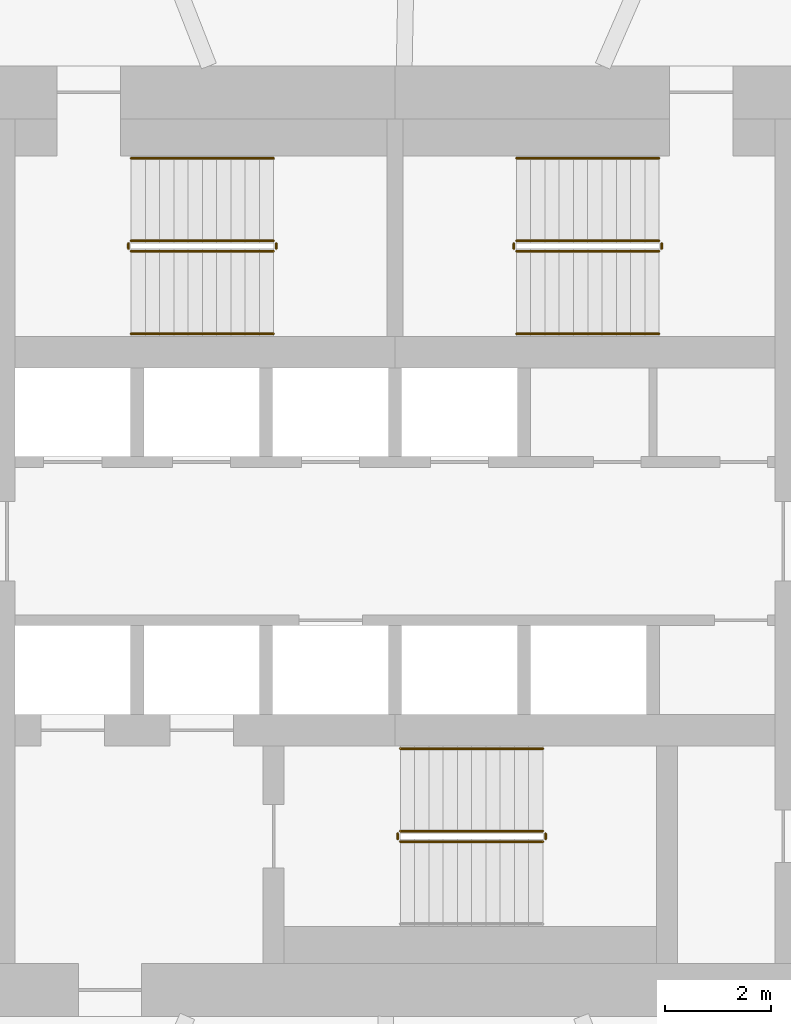
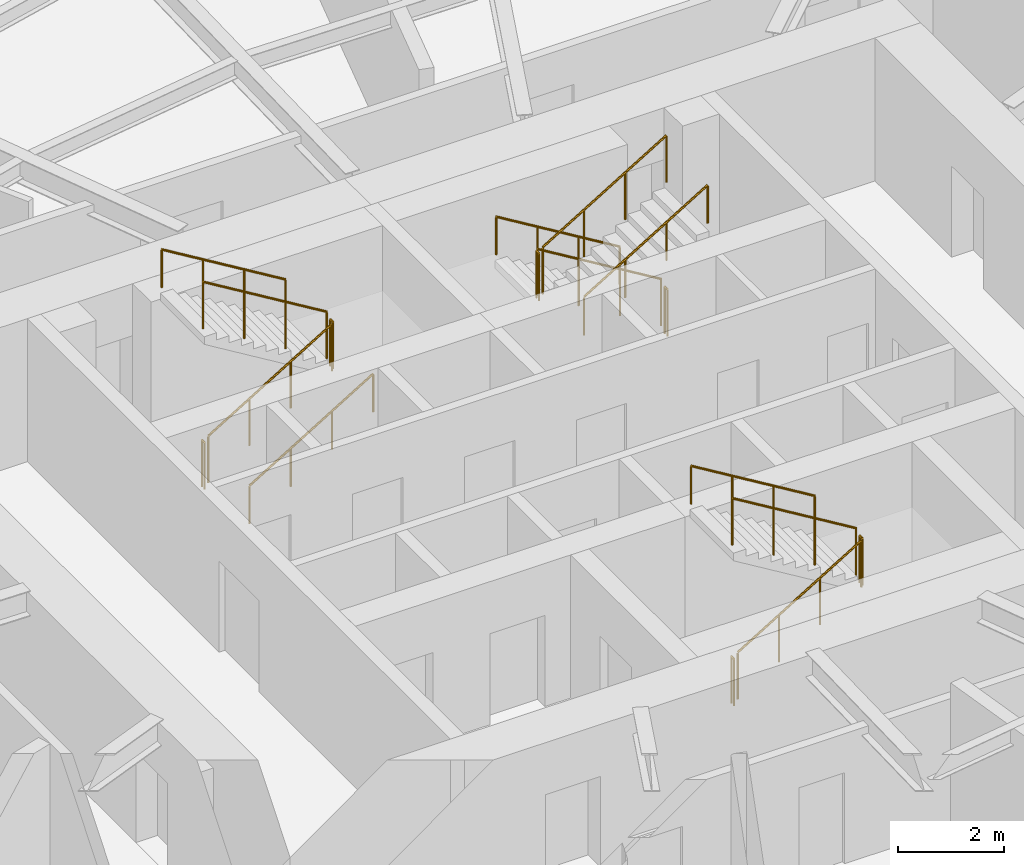
# One storey, part 13 of 15: 17 railings.
"""IFC4 building model written with IfcOpenShell, lengths in metres."""

import ifcopenshell
import ifcopenshell.guid

model = None  # the IFC model being written
_history = None  # IfcOwnerHistory: only IFC2X3 demands one
_inside = {}  # id of a spatial element -> (the spatial element, [elements in it])
_under = {}  # id of a project, library or spatial element -> (it, [spatial elements below it])
_declared = {}  # id of a project -> (the project, [libraries it declares])
_typed = {}  # id of a type object -> (the type object, [elements of that type])
_made_of = {}  # id of a material, layer set ... -> (it, [elements and type objects made of it])


def new_model(schema):
    """Start an empty IFC model of exactly this schema.

    Asked for "IFC4X3", IfcOpenShell would pick the latest addendum, in which some entities
    have other attributes; the version numbers below select the first issue.
    IFC2X3 requires an IfcOwnerHistory on every rooted entity: one is made here for all.
    """
    global model, _history
    if schema == "IFC4X3":
        model = ifcopenshell.file(schema_version=(4, 3, 0, 0))
    else:
        model = ifcopenshell.file(schema=schema)
    _inside.clear()
    _under.clear()
    _declared.clear()
    _typed.clear()
    _made_of.clear()
    _history = None
    if model.schema == "IFC2X3":
        org = make("IfcOrganization", Name="unknown")
        user = make(
            "IfcPersonAndOrganization",
            ThePerson=make("IfcPerson", FamilyName="unknown"),
            TheOrganization=org,
        )
        app = make(
            "IfcApplication",
            ApplicationDeveloper=org,
            Version="unknown",
            ApplicationFullName="unknown",
            ApplicationIdentifier="unknown",
        )
        _history = make(
            "IfcOwnerHistory",
            OwningUser=user,
            OwningApplication=app,
            ChangeAction="ADDED",
            CreationDate=0,
        )
    return model


def make(cls, **values):
    """One entity of the class cls with the attributes given. An attribute that is None is left unset."""
    return model.create_entity(
        cls, **{name: value for name, value in values.items() if value is not None}
    )


def rooted(cls, **values):
    """An entity with a GlobalId (a new one), such as an element, a storey or a relation."""
    return make(cls, GlobalId=ifcopenshell.guid.new(), OwnerHistory=_history, **values)


def si_unit(unit_type, name, prefix=None):
    """IfcSIUnit, for example si_unit("LENGTHUNIT", "METRE", prefix="MILLI")."""
    return make("IfcSIUnit", UnitType=unit_type, Prefix=prefix, Name=name)


def assignment(units):
    """IfcUnitAssignment: the units of a project."""
    return None if units is None else make("IfcUnitAssignment", Units=units)


def point(xyz):
    """IfcCartesianPoint."""
    return None if xyz is None else make("IfcCartesianPoint", Coordinates=xyz)


def direction(xyz):
    """IfcDirection."""
    return None if xyz is None else make("IfcDirection", DirectionRatios=xyz)


def frame(location, z_axis=None, x_axis=None):
    """IfcAxis2Placement3D, a coordinate frame: its origin and axes. An axis left out is left unset."""
    return make(
        "IfcAxis2Placement3D",
        Location=point(location),
        Axis=direction(z_axis),
        RefDirection=direction(x_axis),
    )


def frame_2d(location, x_axis=None):
    """IfcAxis2Placement2D, a coordinate frame in the plane: its origin and x axis."""
    return make(
        "IfcAxis2Placement2D", Location=point(location), RefDirection=direction(x_axis)
    )


def origin():
    """The frame at (0, 0, 0) with its axes left unset."""
    return frame((0.0, 0.0, 0.0))


def origin_2d():
    """The frame at (0, 0) in the plane with its x axis left unset."""
    return frame_2d((0.0, 0.0))


def place(relative_to, where):
    """IfcLocalPlacement: puts the frame where relative to a parent placement (None: the world)."""
    return make(
        "IfcLocalPlacement", PlacementRelTo=relative_to, RelativePlacement=where
    )


def context(
    kind, dimensions, precision=None, world=None, true_north=None, identifier=None
):
    """IfcGeometricRepresentationContext, for example the 3D "Model" context."""
    return make(
        "IfcGeometricRepresentationContext",
        ContextIdentifier=identifier,
        ContextType=kind,
        CoordinateSpaceDimension=dimensions,
        Precision=precision,
        WorldCoordinateSystem=world,
        TrueNorth=true_north,
    )


def subcontext(parent, identifier, kind, view, scale=None):
    """IfcGeometricRepresentationSubContext, for example "Body" below "Model"."""
    return make(
        "IfcGeometricRepresentationSubContext",
        ContextIdentifier=identifier,
        ContextType=kind,
        ParentContext=parent,
        TargetScale=scale,
        TargetView=view,
    )


def project(units=None, contexts=None):
    """IfcProject with its units and contexts."""
    return rooted(
        "IfcProject",
        Name="project",
        RepresentationContexts=contexts,
        UnitsInContext=assignment(units),
    )


def spatial(cls, under=None, at=None, **own):
    """A site, building, storey or space (cls), placed at a placement, below another one or the project."""
    s = rooted(cls, ObjectPlacement=at, **own)
    if under is not None:
        _under.setdefault(under.id(), (under, []))[1].append(s)
    return s


def profile(cls, at=None, kind="AREA", **sizes):
    """A parametric profile (cls). Its sizes go by their IFC names, for example OverallWidth=200.0."""
    return make(cls, ProfileType=kind, Position=at, **sizes)


def circle(**sizes):
    """IfcCircleProfileDef."""
    return profile("IfcCircleProfileDef", **sizes)


def extrude(swept, where, along, depth):
    """IfcExtrudedAreaSolid: the profile swept, set in the frame where, extruded along a direction by depth."""
    return make(
        "IfcExtrudedAreaSolid",
        SweptArea=swept,
        Position=where,
        ExtrudedDirection=direction(along),
        Depth=depth,
    )


def shape(context_of_items, identifier, shape_type, items):
    """IfcShapeRepresentation: the items that make up one representation, for example the "Body"."""
    return make(
        "IfcShapeRepresentation",
        ContextOfItems=context_of_items,
        RepresentationIdentifier=identifier,
        RepresentationType=shape_type,
        Items=items,
    )


def material(Name=None, Category=None):
    """IfcMaterial."""
    return make("IfcMaterial", Name=Name, Category=Category)


def made_of(thing, what):
    """Note that an element or type object is made of a material, layer set ...; save() writes the relation."""
    if what is not None:
        _made_of.setdefault(what.id(), (what, []))[1].append(thing)
    return thing


def type_object(cls, material=None, **own):
    """A type object (cls), such as IfcWallType, which elements share."""
    return made_of(rooted(cls, **own), material)


def element(
    cls,
    number,
    at=None,
    inside=None,
    cuts=None,
    type_object=None,
    material=None,
    context=None,
    identifier="Body",
    shape_type=None,
    held_by="IfcProductDefinitionShape",
    body=None,
    shapes=None,
    **own,
):
    """One element of the class cls, such as IfcWall. Its Tag is "e" and its number.

    at: its placement. inside: the storey or other place that contains it. cuts: it is an
    opening in that element (IfcRelVoidsElement). A single representation is given by context,
    identifier, shape_type and body (its items); several are given by shapes. held_by: the class
    of the entity that holds the representations. save() writes the other relations.
    """
    e = rooted(cls, Tag="e%d" % number, ObjectPlacement=at, **own)
    if body is not None:
        shapes = [shape(context, identifier, shape_type, body)]
    if shapes is not None:
        e.Representation = make(held_by, Representations=shapes)
    if inside is not None:
        _inside.setdefault(inside.id(), (inside, []))[1].append(e)
    if cuts is not None:
        rooted(
            "IfcRelVoidsElement", RelatingBuildingElement=cuts, RelatedOpeningElement=e
        )
    if type_object is not None:
        _typed.setdefault(type_object.id(), (type_object, []))[1].append(e)
    return made_of(e, material)


def aggregate(whole, parts):
    """IfcRelAggregates: a whole, such as a stair, and the parts it consists of."""
    return rooted("IfcRelAggregates", RelatingObject=whole, RelatedObjects=parts)


def save(model, path):
    """Write the relations noted so far, then the file.

    IfcRelAggregates (storeys below a building ...), IfcRelContainedInSpatialStructure (elements
    in a storey), IfcRelDefinesByType, IfcRelAssociatesMaterial and IfcRelDeclares: one each for
    every whole, place, type object, material and project.
    """
    for whole, parts in _under.values():
        aggregate(whole, parts)
    for where, things in _inside.values():
        rooted(
            "IfcRelContainedInSpatialStructure",
            RelatedElements=things,
            RelatingStructure=where,
        )
    for kind, things in _typed.values():
        rooted("IfcRelDefinesByType", RelatedObjects=things, RelatingType=kind)
    for what, things in _made_of.values():
        rooted("IfcRelAssociatesMaterial", RelatedObjects=things, RelatingMaterial=what)
    for by, libraries in _declared.values():
        rooted("IfcRelDeclares", RelatingContext=by, RelatedDefinitions=libraries)
    model.write(path)


model = new_model("IFC4")

# Units and contexts
model_context = context("Model", 3, precision=1e-05, world=origin(), true_north=direction((0.0, 1.0)))
body_context = subcontext(model_context, "Body", "Model", "MODEL_VIEW")
ifc_project = project(units=[si_unit("LENGTHUNIT", "METRE"), si_unit("AREAUNIT", "SQUARE_METRE"), si_unit("VOLUMEUNIT", "CUBIC_METRE"), si_unit("PLANEANGLEUNIT", "RADIAN"), si_unit("MASSUNIT", "GRAM", prefix="KILO")], contexts=[model_context])

# Site, building, storey
site_placement = place(None, origin())
site = spatial("IfcSite", under=ifc_project, at=site_placement, CompositionType="ELEMENT")
building_placement = place(site_placement, origin())
building = spatial("IfcBuilding", under=site, at=building_placement, Name="Vermilion Reach Broadcast Tower", CompositionType="ELEMENT")
storey_placement = place(building_placement, frame((0.0, 0.0, 175.800048828125)))
storey = spatial("IfcBuildingStorey", under=building, at=storey_placement, Name="L42", CompositionType="ELEMENT", Elevation=175.800048828125)

# Railings
ifc_material_1 = material(Name="Stainless steel", Category="steel")
railing_type_1 = type_object("IfcRailingType", Name="Stair guard 1100", PredefinedType="GUARDRAIL", material=ifc_material_1)
railing_1_placement = place(storey_placement, frame((-11.0, 5.489990234375, 0.16357421875)))
element("IfcRailing", 1, at=railing_1_placement, inside=storey, type_object=railing_type_1, Name="L42 ST1 stair guard 1", PredefinedType="GUARDRAIL", context=body_context, shape_type="SweptSolid", body=[
    extrude(circle(Radius=0.02392578125, at=origin_2d()), frame((0.0, 0.0, 1.076171875), z_axis=(0.855178096276, 0.0, 0.518334277904), x_axis=(0.0, 1.0, 0.0)), (0.0, 0.0, 1.0), 3.1572265625),
    extrude(circle(Radius=0.02099609375, at=origin_2d()), origin(), (0.0, 0.0, 1.0), 1.052001953125),
    extrude(circle(Radius=0.02099609375, at=origin_2d()), frame((0.89990234375, 0.0, 0.54541015625)), (0.0, 0.0, 1.0), 1.052001953125),
    extrude(circle(Radius=0.02099609375, at=origin_2d()), frame((1.800048828125, 0.0, 1.091064453125)), (0.0, 0.0, 1.0), 1.052001953125),
    extrude(circle(Radius=0.02099609375, at=origin_2d()), frame((2.699951171875, 0.0, 1.636474609375)), (0.0, 0.0, 1.0), 1.052001953125),
])
railing_2_placement = place(storey_placement, frame((-8.25, 5.5400390625, 1.800048828125)))
element("IfcRailing", 2, at=railing_2_placement, inside=storey, type_object=railing_type_1, Name="L42 ST1 stair guard 2", PredefinedType="GUARDRAIL", context=body_context, shape_type="SweptSolid", body=[
    extrude(circle(Radius=0.02392578125, at=origin_2d()), frame((0.0, 0.0, 1.076171875), z_axis=(0.0, 1.0, 0.0), x_axis=(-1.0, 0.0, 0.0)), (0.0, 0.0, 1.0), 0.099853515625),
    extrude(circle(Radius=0.02099609375, at=origin_2d()), origin(), (0.0, 0.0, 1.0), 1.052001953125),
    extrude(circle(Radius=0.02099609375, at=origin_2d()), frame((0.0, 0.099853515625, 0.0)), (0.0, 0.0, 1.0), 1.052001953125),
])
railing_3_placement = place(storey_placement, frame((-8.300048828125, 5.68994140625, 1.963623046875)))
element("IfcRailing", 3, at=railing_3_placement, inside=storey, type_object=railing_type_1, Name="L42 ST1 stair guard 3", PredefinedType="GUARDRAIL", context=body_context, shape_type="SweptSolid", body=[
    extrude(circle(Radius=0.02392578125, at=origin_2d()), frame((0.0, 0.0, 1.076171875), z_axis=(-0.855212373127, 0.0, 0.518277721738), x_axis=(0.0, -1.0, 0.0)), (0.0, 0.0, 1.0), 3.156982421875),
    extrude(circle(Radius=0.02099609375, at=origin_2d()), origin(), (0.0, 0.0, 1.0), 1.052001953125),
    extrude(circle(Radius=0.02099609375, at=origin_2d()), frame((-0.89990234375, 0.0, 0.54541015625)), (0.0, 0.0, 1.0), 1.052001953125),
    extrude(circle(Radius=0.02099609375, at=origin_2d()), frame((-1.800048828125, 0.0, 1.0908203125)), (0.0, 0.0, 1.0), 1.052001953125),
    extrude(circle(Radius=0.02099609375, at=origin_2d()), frame((-2.699951171875, 0.0, 1.63623046875)), (0.0, 0.0, 1.0), 1.052001953125),
])
railing_4_placement = place(storey_placement, frame((-11.050048828125, 5.5400390625, 0.0)))
element("IfcRailing", 4, at=railing_4_placement, inside=storey, type_object=railing_type_1, Name="L42 ST1 stair guard 4", PredefinedType="GUARDRAIL", context=body_context, shape_type="SweptSolid", body=[
    extrude(circle(Radius=0.02392578125, at=origin_2d()), frame((0.0, 0.0, 1.076171875), z_axis=(0.0, 1.0, 0.0), x_axis=(-1.0, 0.0, 0.0)), (0.0, 0.0, 1.0), 0.099853515625),
    extrude(circle(Radius=0.02099609375, at=origin_2d()), origin(), (0.0, 0.0, 1.0), 1.052001953125),
    extrude(circle(Radius=0.02099609375, at=origin_2d()), frame((0.0, 0.099853515625, 0.0)), (0.0, 0.0, 1.0), 1.052001953125),
])
railing_5_placement = place(storey_placement, frame((-1.0, 5.68994140625, 0.16357421875)))
element("IfcRailing", 5, at=railing_5_placement, inside=storey, type_object=railing_type_1, Name="L42 ST2 stair guard 1", PredefinedType="GUARDRAIL", context=body_context, shape_type="SweptSolid", body=[
    extrude(circle(Radius=0.02392578125, at=origin_2d()), frame((0.0, 0.0, 1.076171875), z_axis=(-0.855178096276, 0.0, 0.518334277904), x_axis=(0.0, -1.0, 0.0)), (0.0, 0.0, 1.0), 3.1572265625),
    extrude(circle(Radius=0.02099609375, at=origin_2d()), origin(), (0.0, 0.0, 1.0), 1.052001953125),
    extrude(circle(Radius=0.02099609375, at=origin_2d()), frame((-0.89990234375, 0.0, 0.54541015625)), (0.0, 0.0, 1.0), 1.052001953125),
    extrude(circle(Radius=0.02099609375, at=origin_2d()), frame((-1.800048828125, 0.0, 1.091064453125)), (0.0, 0.0, 1.0), 1.052001953125),
    extrude(circle(Radius=0.02099609375, at=origin_2d()), frame((-2.699951171875, 0.0, 1.636474609375)), (0.0, 0.0, 1.0), 1.052001953125),
])
railing_6_placement = place(storey_placement, frame((-3.75, 5.639892578125, 1.800048828125)))
element("IfcRailing", 6, at=railing_6_placement, inside=storey, type_object=railing_type_1, Name="L42 ST2 stair guard 2", PredefinedType="GUARDRAIL", context=body_context, shape_type="SweptSolid", body=[
    extrude(circle(Radius=0.02392578125, at=origin_2d()), frame((0.0, 0.0, 1.076171875), z_axis=(0.0, -1.0, 0.0), x_axis=(1.0, 0.0, 0.0)), (0.0, 0.0, 1.0), 0.099853515625),
    extrude(circle(Radius=0.02099609375, at=origin_2d()), origin(), (0.0, 0.0, 1.0), 1.052001953125),
    extrude(circle(Radius=0.02099609375, at=origin_2d()), frame((0.0, -0.099853515625, 0.0)), (0.0, 0.0, 1.0), 1.052001953125),
])
railing_7_placement = place(storey_placement, frame((-3.699951171875, 5.489990234375, 1.963623046875)))
element("IfcRailing", 7, at=railing_7_placement, inside=storey, type_object=railing_type_1, Name="L42 ST2 stair guard 3", PredefinedType="GUARDRAIL", context=body_context, shape_type="SweptSolid", body=[
    extrude(circle(Radius=0.02392578125, at=origin_2d()), frame((0.0, 0.0, 1.076171875), z_axis=(0.855212373127, 0.0, 0.518277721738), x_axis=(0.0, 1.0, 0.0)), (0.0, 0.0, 1.0), 3.156982421875),
    extrude(circle(Radius=0.02099609375, at=origin_2d()), origin(), (0.0, 0.0, 1.0), 1.052001953125),
    extrude(circle(Radius=0.02099609375, at=origin_2d()), frame((0.89990234375, 0.0, 0.54541015625)), (0.0, 0.0, 1.0), 1.052001953125),
    extrude(circle(Radius=0.02099609375, at=origin_2d()), frame((1.800048828125, 0.0, 1.0908203125)), (0.0, 0.0, 1.0), 1.052001953125),
    extrude(circle(Radius=0.02099609375, at=origin_2d()), frame((2.699951171875, 0.0, 1.63623046875)), (0.0, 0.0, 1.0), 1.052001953125),
])
railing_8_placement = place(storey_placement, frame((-0.949951171875, 5.639892578125, 0.0)))
element("IfcRailing", 8, at=railing_8_placement, inside=storey, type_object=railing_type_1, Name="L42 ST2 stair guard 4", PredefinedType="GUARDRAIL", context=body_context, shape_type="SweptSolid", body=[
    extrude(circle(Radius=0.02392578125, at=origin_2d()), frame((0.0, 0.0, 1.076171875), z_axis=(0.0, -1.0, 0.0), x_axis=(1.0, 0.0, 0.0)), (0.0, 0.0, 1.0), 0.099853515625),
    extrude(circle(Radius=0.02099609375, at=origin_2d()), origin(), (0.0, 0.0, 1.0), 1.052001953125),
    extrude(circle(Radius=0.02099609375, at=origin_2d()), frame((0.0, -0.099853515625, 0.0)), (0.0, 0.0, 1.0), 1.052001953125),
])
railing_9_placement = place(storey_placement, frame((-5.89990234375, -5.68994140625, 0.16357421875)))
element("IfcRailing", 9, at=railing_9_placement, inside=storey, type_object=railing_type_1, Name="L42 ST3 stair guard 1", PredefinedType="GUARDRAIL", context=body_context, shape_type="SweptSolid", body=[
    extrude(circle(Radius=0.02392578125, at=origin_2d()), frame((0.0, 0.0, 1.076171875), z_axis=(0.855178096276, 0.0, 0.518334277904), x_axis=(0.0, 1.0, 0.0)), (0.0, 0.0, 1.0), 3.1572265625),
    extrude(circle(Radius=0.02099609375, at=origin_2d()), origin(), (0.0, 0.0, 1.0), 1.052001953125),
    extrude(circle(Radius=0.02099609375, at=origin_2d()), frame((0.89990234375, 0.0, 0.54541015625)), (0.0, 0.0, 1.0), 1.052001953125),
    extrude(circle(Radius=0.02099609375, at=origin_2d()), frame((1.800048828125, 0.0, 1.091064453125)), (0.0, 0.0, 1.0), 1.052001953125),
    extrude(circle(Radius=0.02099609375, at=origin_2d()), frame((2.699951171875, 0.0, 1.636474609375)), (0.0, 0.0, 1.0), 1.052001953125),
])
railing_10_placement = place(storey_placement, frame((-3.14990234375, -5.639892578125, 1.800048828125)))
element("IfcRailing", 10, at=railing_10_placement, inside=storey, type_object=railing_type_1, Name="L42 ST3 stair guard 2", PredefinedType="GUARDRAIL", context=body_context, shape_type="SweptSolid", body=[
    extrude(circle(Radius=0.02392578125, at=origin_2d()), frame((0.0, 0.0, 1.076171875), z_axis=(0.0, 1.0, 0.0), x_axis=(-1.0, 0.0, 0.0)), (0.0, 0.0, 1.0), 0.099853515625),
    extrude(circle(Radius=0.02099609375, at=origin_2d()), origin(), (0.0, 0.0, 1.0), 1.052001953125),
    extrude(circle(Radius=0.02099609375, at=origin_2d()), frame((0.0, 0.099853515625, 0.0)), (0.0, 0.0, 1.0), 1.052001953125),
])
railing_11_placement = place(storey_placement, frame((-3.199951171875, -5.489990234375, 1.963623046875)))
element("IfcRailing", 11, at=railing_11_placement, inside=storey, type_object=railing_type_1, Name="L42 ST3 stair guard 3", PredefinedType="GUARDRAIL", context=body_context, shape_type="SweptSolid", body=[
    extrude(circle(Radius=0.02392578125, at=origin_2d()), frame((0.0, 0.0, 1.076171875), z_axis=(-0.855212373127, 0.0, 0.518277721738), x_axis=(0.0, -1.0, 0.0)), (0.0, 0.0, 1.0), 3.156982421875),
    extrude(circle(Radius=0.02099609375, at=origin_2d()), origin(), (0.0, 0.0, 1.0), 1.052001953125),
    extrude(circle(Radius=0.02099609375, at=origin_2d()), frame((-0.89990234375, 0.0, 0.54541015625)), (0.0, 0.0, 1.0), 1.052001953125),
    extrude(circle(Radius=0.02099609375, at=origin_2d()), frame((-1.800048828125, 0.0, 1.0908203125)), (0.0, 0.0, 1.0), 1.052001953125),
    extrude(circle(Radius=0.02099609375, at=origin_2d()), frame((-2.699951171875, 0.0, 1.63623046875)), (0.0, 0.0, 1.0), 1.052001953125),
])
railing_12_placement = place(storey_placement, frame((-5.949951171875, -5.639892578125, 0.0)))
element("IfcRailing", 12, at=railing_12_placement, inside=storey, type_object=railing_type_1, Name="L42 ST3 stair guard 4", PredefinedType="GUARDRAIL", context=body_context, shape_type="SweptSolid", body=[
    extrude(circle(Radius=0.02392578125, at=origin_2d()), frame((0.0, 0.0, 1.076171875), z_axis=(0.0, 1.0, 0.0), x_axis=(-1.0, 0.0, 0.0)), (0.0, 0.0, 1.0), 0.099853515625),
    extrude(circle(Radius=0.02099609375, at=origin_2d()), origin(), (0.0, 0.0, 1.0), 1.052001953125),
    extrude(circle(Radius=0.02099609375, at=origin_2d()), frame((0.0, 0.099853515625, 0.0)), (0.0, 0.0, 1.0), 1.052001953125),
])
ifc_material_2 = material(Name="Stainless steel", Category="steel")
railing_type_2 = type_object("IfcRailingType", Name="Stair handrail", PredefinedType="HANDRAIL", material=ifc_material_2)
railing_13_placement = place(storey_placement, frame((-11.0, 3.929931640625, 0.16357421875)))
element("IfcRailing", 13, at=railing_13_placement, inside=storey, type_object=railing_type_2, Name="L42 ST1 stair handrail 1", PredefinedType="HANDRAIL", context=body_context, shape_type="SweptSolid", body=[
    extrude(circle(Radius=0.02392578125, at=origin_2d()), frame((0.0, 0.0, 0.8759765625), z_axis=(0.855178096276, 0.0, 0.518334277904), x_axis=(0.0, 1.0, 0.0)), (0.0, 0.0, 1.0), 3.1572265625),
    extrude(circle(Radius=0.02099609375, at=origin_2d()), origin(), (0.0, 0.0, 1.0), 0.851806640625),
    extrude(circle(Radius=0.02099609375, at=origin_2d()), frame((0.89990234375, 0.0, 0.54541015625)), (0.0, 0.0, 1.0), 0.851806640625),
    extrude(circle(Radius=0.02099609375, at=origin_2d()), frame((1.800048828125, 0.0, 1.091064453125)), (0.0, 0.0, 1.0), 0.851806640625),
    extrude(circle(Radius=0.02099609375, at=origin_2d()), frame((2.699951171875, 0.0, 1.636474609375)), (0.0, 0.0, 1.0), 0.851806640625),
])
railing_14_placement = place(storey_placement, frame((-8.300048828125, 7.25, 1.963623046875)))
element("IfcRailing", 14, at=railing_14_placement, inside=storey, type_object=railing_type_2, Name="L42 ST1 stair handrail 2", PredefinedType="HANDRAIL", context=body_context, shape_type="SweptSolid", body=[
    extrude(circle(Radius=0.02392578125, at=origin_2d()), frame((0.0, 0.0, 0.8759765625), z_axis=(-0.855212373127, 0.0, 0.518277721738), x_axis=(0.0, -1.0, 0.0)), (0.0, 0.0, 1.0), 3.156982421875),
    extrude(circle(Radius=0.02099609375, at=origin_2d()), origin(), (0.0, 0.0, 1.0), 0.851806640625),
    extrude(circle(Radius=0.02099609375, at=origin_2d()), frame((-0.89990234375, 0.0, 0.54541015625)), (0.0, 0.0, 1.0), 0.851806640625),
    extrude(circle(Radius=0.02099609375, at=origin_2d()), frame((-1.800048828125, 0.0, 1.0908203125)), (0.0, 0.0, 1.0), 0.851806640625),
    extrude(circle(Radius=0.02099609375, at=origin_2d()), frame((-2.699951171875, 0.0, 1.63623046875)), (0.0, 0.0, 1.0), 0.851806640625),
])
railing_15_placement = place(storey_placement, frame((-1.0, 7.25, 0.16357421875)))
element("IfcRailing", 15, at=railing_15_placement, inside=storey, type_object=railing_type_2, Name="L42 ST2 stair handrail 1", PredefinedType="HANDRAIL", context=body_context, shape_type="SweptSolid", body=[
    extrude(circle(Radius=0.02392578125, at=origin_2d()), frame((0.0, 0.0, 0.8759765625), z_axis=(-0.855178096276, 0.0, 0.518334277904), x_axis=(0.0, -1.0, 0.0)), (0.0, 0.0, 1.0), 3.1572265625),
    extrude(circle(Radius=0.02099609375, at=origin_2d()), origin(), (0.0, 0.0, 1.0), 0.851806640625),
    extrude(circle(Radius=0.02099609375, at=origin_2d()), frame((-0.89990234375, 0.0, 0.54541015625)), (0.0, 0.0, 1.0), 0.851806640625),
    extrude(circle(Radius=0.02099609375, at=origin_2d()), frame((-1.800048828125, 0.0, 1.091064453125)), (0.0, 0.0, 1.0), 0.851806640625),
    extrude(circle(Radius=0.02099609375, at=origin_2d()), frame((-2.699951171875, 0.0, 1.636474609375)), (0.0, 0.0, 1.0), 0.851806640625),
])
railing_16_placement = place(storey_placement, frame((-3.699951171875, 3.929931640625, 1.963623046875)))
element("IfcRailing", 16, at=railing_16_placement, inside=storey, type_object=railing_type_2, Name="L42 ST2 stair handrail 2", PredefinedType="HANDRAIL", context=body_context, shape_type="SweptSolid", body=[
    extrude(circle(Radius=0.02392578125, at=origin_2d()), frame((0.0, 0.0, 0.8759765625), z_axis=(0.855212373127, 0.0, 0.518277721738), x_axis=(0.0, 1.0, 0.0)), (0.0, 0.0, 1.0), 3.156982421875),
    extrude(circle(Radius=0.02099609375, at=origin_2d()), origin(), (0.0, 0.0, 1.0), 0.851806640625),
    extrude(circle(Radius=0.02099609375, at=origin_2d()), frame((0.89990234375, 0.0, 0.54541015625)), (0.0, 0.0, 1.0), 0.851806640625),
    extrude(circle(Radius=0.02099609375, at=origin_2d()), frame((1.800048828125, 0.0, 1.0908203125)), (0.0, 0.0, 1.0), 0.851806640625),
    extrude(circle(Radius=0.02099609375, at=origin_2d()), frame((2.699951171875, 0.0, 1.63623046875)), (0.0, 0.0, 1.0), 0.851806640625),
])
railing_17_placement = place(storey_placement, frame((-3.199951171875, -3.929931640625, 1.963623046875)))
element("IfcRailing", 17, at=railing_17_placement, inside=storey, type_object=railing_type_2, Name="L42 ST3 stair handrail 2", PredefinedType="HANDRAIL", context=body_context, shape_type="SweptSolid", body=[
    extrude(circle(Radius=0.02392578125, at=origin_2d()), frame((0.0, 0.0, 0.8759765625), z_axis=(-0.855212373127, 0.0, 0.518277721738), x_axis=(0.0, -1.0, 0.0)), (0.0, 0.0, 1.0), 3.156982421875),
    extrude(circle(Radius=0.02099609375, at=origin_2d()), origin(), (0.0, 0.0, 1.0), 0.851806640625),
    extrude(circle(Radius=0.02099609375, at=origin_2d()), frame((-0.89990234375, 0.0, 0.54541015625)), (0.0, 0.0, 1.0), 0.851806640625),
    extrude(circle(Radius=0.02099609375, at=origin_2d()), frame((-1.800048828125, 0.0, 1.0908203125)), (0.0, 0.0, 1.0), 0.851806640625),
    extrude(circle(Radius=0.02099609375, at=origin_2d()), frame((-2.699951171875, 0.0, 1.63623046875)), (0.0, 0.0, 1.0), 0.851806640625),
])

save(model, "model.ifc")
